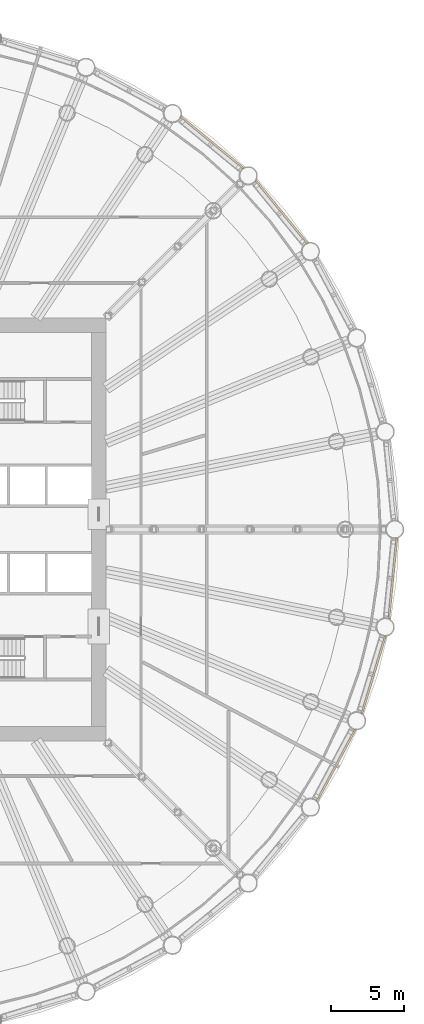
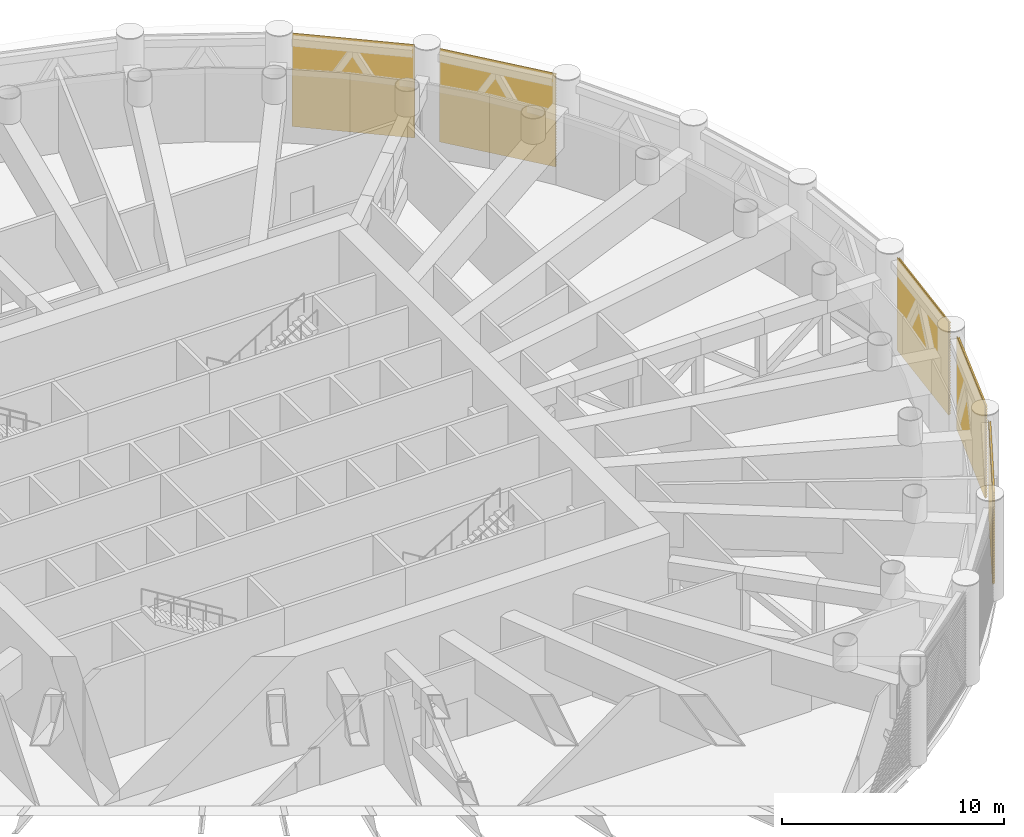
# One storey, part 27 of 29: 5 shading devices, 5 elements without a shape of their own.
"""IFC4 building model written with IfcOpenShell, lengths in metres."""

import ifcopenshell
import ifcopenshell.guid

model = None  # the IFC model being written
_history = None  # IfcOwnerHistory: only IFC2X3 demands one
_inside = {}  # id of a spatial element -> (the spatial element, [elements in it])
_under = {}  # id of a project, library or spatial element -> (it, [spatial elements below it])
_declared = {}  # id of a project -> (the project, [libraries it declares])
_typed = {}  # id of a type object -> (the type object, [elements of that type])
_made_of = {}  # id of a material, layer set ... -> (it, [elements and type objects made of it])


def new_model(schema):
    """Start an empty IFC model of exactly this schema.

    Asked for "IFC4X3", IfcOpenShell would pick the latest addendum, in which some entities
    have other attributes; the version numbers below select the first issue.
    IFC2X3 requires an IfcOwnerHistory on every rooted entity: one is made here for all.
    """
    global model, _history
    if schema == "IFC4X3":
        model = ifcopenshell.file(schema_version=(4, 3, 0, 0))
    else:
        model = ifcopenshell.file(schema=schema)
    _inside.clear()
    _under.clear()
    _declared.clear()
    _typed.clear()
    _made_of.clear()
    _history = None
    if model.schema == "IFC2X3":
        org = make("IfcOrganization", Name="unknown")
        user = make(
            "IfcPersonAndOrganization",
            ThePerson=make("IfcPerson", FamilyName="unknown"),
            TheOrganization=org,
        )
        app = make(
            "IfcApplication",
            ApplicationDeveloper=org,
            Version="unknown",
            ApplicationFullName="unknown",
            ApplicationIdentifier="unknown",
        )
        _history = make(
            "IfcOwnerHistory",
            OwningUser=user,
            OwningApplication=app,
            ChangeAction="ADDED",
            CreationDate=0,
        )
    return model


def make(cls, **values):
    """One entity of the class cls with the attributes given. An attribute that is None is left unset."""
    return model.create_entity(
        cls, **{name: value for name, value in values.items() if value is not None}
    )


def rooted(cls, **values):
    """An entity with a GlobalId (a new one), such as an element, a storey or a relation."""
    return make(cls, GlobalId=ifcopenshell.guid.new(), OwnerHistory=_history, **values)


def si_unit(unit_type, name, prefix=None):
    """IfcSIUnit, for example si_unit("LENGTHUNIT", "METRE", prefix="MILLI")."""
    return make("IfcSIUnit", UnitType=unit_type, Prefix=prefix, Name=name)


def assignment(units):
    """IfcUnitAssignment: the units of a project."""
    return None if units is None else make("IfcUnitAssignment", Units=units)


def point(xyz):
    """IfcCartesianPoint."""
    return None if xyz is None else make("IfcCartesianPoint", Coordinates=xyz)


def direction(xyz):
    """IfcDirection."""
    return None if xyz is None else make("IfcDirection", DirectionRatios=xyz)


def frame(location, z_axis=None, x_axis=None):
    """IfcAxis2Placement3D, a coordinate frame: its origin and axes. An axis left out is left unset."""
    return make(
        "IfcAxis2Placement3D",
        Location=point(location),
        Axis=direction(z_axis),
        RefDirection=direction(x_axis),
    )


def origin():
    """The frame at (0, 0, 0) with its axes left unset."""
    return frame((0.0, 0.0, 0.0))


def place(relative_to, where):
    """IfcLocalPlacement: puts the frame where relative to a parent placement (None: the world)."""
    return make(
        "IfcLocalPlacement", PlacementRelTo=relative_to, RelativePlacement=where
    )


def context(
    kind, dimensions, precision=None, world=None, true_north=None, identifier=None
):
    """IfcGeometricRepresentationContext, for example the 3D "Model" context."""
    return make(
        "IfcGeometricRepresentationContext",
        ContextIdentifier=identifier,
        ContextType=kind,
        CoordinateSpaceDimension=dimensions,
        Precision=precision,
        WorldCoordinateSystem=world,
        TrueNorth=true_north,
    )


def subcontext(parent, identifier, kind, view, scale=None):
    """IfcGeometricRepresentationSubContext, for example "Body" below "Model"."""
    return make(
        "IfcGeometricRepresentationSubContext",
        ContextIdentifier=identifier,
        ContextType=kind,
        ParentContext=parent,
        TargetScale=scale,
        TargetView=view,
    )


def project(units=None, contexts=None):
    """IfcProject with its units and contexts."""
    return rooted(
        "IfcProject",
        Name="project",
        RepresentationContexts=contexts,
        UnitsInContext=assignment(units),
    )


def spatial(cls, under=None, at=None, **own):
    """A site, building, storey or space (cls), placed at a placement, below another one or the project."""
    s = rooted(cls, ObjectPlacement=at, **own)
    if under is not None:
        _under.setdefault(under.id(), (under, []))[1].append(s)
    return s


def polyline(points):
    """IfcPolyline through the points."""
    return make("IfcPolyline", Points=[point(p) for p in points])


def outline(outer, holes=None, kind="AREA"):
    """IfcArbitraryClosedProfileDef: a profile drawn as a closed curve; with holes, ...WithVoids."""
    if holes is None:
        return make("IfcArbitraryClosedProfileDef", ProfileType=kind, OuterCurve=outer)
    return make(
        "IfcArbitraryProfileDefWithVoids",
        ProfileType=kind,
        OuterCurve=outer,
        InnerCurves=holes,
    )


def extrude(swept, where, along, depth):
    """IfcExtrudedAreaSolid: the profile swept, set in the frame where, extruded along a direction by depth."""
    return make(
        "IfcExtrudedAreaSolid",
        SweptArea=swept,
        Position=where,
        ExtrudedDirection=direction(along),
        Depth=depth,
    )


def shape(context_of_items, identifier, shape_type, items):
    """IfcShapeRepresentation: the items that make up one representation, for example the "Body"."""
    return make(
        "IfcShapeRepresentation",
        ContextOfItems=context_of_items,
        RepresentationIdentifier=identifier,
        RepresentationType=shape_type,
        Items=items,
    )


def material(Name=None, Category=None):
    """IfcMaterial."""
    return make("IfcMaterial", Name=Name, Category=Category)


def material_profile(
    of_material, cross_section, Name=None, Category=None, Priority=None
):
    """IfcMaterialProfile: a cross section and its material."""
    return make(
        "IfcMaterialProfile",
        Name=Name,
        Material=of_material,
        Profile=cross_section,
        Priority=Priority,
        Category=Category,
    )


def profile_set(profiles, Name=None, composite=None):
    """IfcMaterialProfileSet."""
    return make(
        "IfcMaterialProfileSet",
        Name=Name,
        MaterialProfiles=profiles,
        CompositeProfile=composite,
    )


def made_of(thing, what):
    """Note that an element or type object is made of a material, layer set ...; save() writes the relation."""
    if what is not None:
        _made_of.setdefault(what.id(), (what, []))[1].append(thing)
    return thing


def type_object(cls, material=None, **own):
    """A type object (cls), such as IfcWallType, which elements share."""
    return made_of(rooted(cls, **own), material)


def element(
    cls,
    number,
    at=None,
    inside=None,
    cuts=None,
    type_object=None,
    material=None,
    context=None,
    identifier="Body",
    shape_type=None,
    held_by="IfcProductDefinitionShape",
    body=None,
    shapes=None,
    **own,
):
    """One element of the class cls, such as IfcWall. Its Tag is "e" and its number.

    at: its placement. inside: the storey or other place that contains it. cuts: it is an
    opening in that element (IfcRelVoidsElement). A single representation is given by context,
    identifier, shape_type and body (its items); several are given by shapes. held_by: the class
    of the entity that holds the representations. save() writes the other relations.
    """
    e = rooted(cls, Tag="e%d" % number, ObjectPlacement=at, **own)
    if body is not None:
        shapes = [shape(context, identifier, shape_type, body)]
    if shapes is not None:
        e.Representation = make(held_by, Representations=shapes)
    if inside is not None:
        _inside.setdefault(inside.id(), (inside, []))[1].append(e)
    if cuts is not None:
        rooted(
            "IfcRelVoidsElement", RelatingBuildingElement=cuts, RelatedOpeningElement=e
        )
    if type_object is not None:
        _typed.setdefault(type_object.id(), (type_object, []))[1].append(e)
    return made_of(e, material)


def aggregate(whole, parts):
    """IfcRelAggregates: a whole, such as a stair, and the parts it consists of."""
    return rooted("IfcRelAggregates", RelatingObject=whole, RelatedObjects=parts)


def save(model, path):
    """Write the relations noted so far, then the file.

    IfcRelAggregates (storeys below a building ...), IfcRelContainedInSpatialStructure (elements
    in a storey), IfcRelDefinesByType, IfcRelAssociatesMaterial and IfcRelDeclares: one each for
    every whole, place, type object, material and project.
    """
    for whole, parts in _under.values():
        aggregate(whole, parts)
    for where, things in _inside.values():
        rooted(
            "IfcRelContainedInSpatialStructure",
            RelatedElements=things,
            RelatingStructure=where,
        )
    for kind, things in _typed.values():
        rooted("IfcRelDefinesByType", RelatedObjects=things, RelatingType=kind)
    for what, things in _made_of.values():
        rooted("IfcRelAssociatesMaterial", RelatedObjects=things, RelatingMaterial=what)
    for by, libraries in _declared.values():
        rooted("IfcRelDeclares", RelatingContext=by, RelatedDefinitions=libraries)
    model.write(path)


model = new_model("IFC4")

# Units and contexts
model_context = context("Model", 3, precision=1e-05, world=origin(), true_north=direction((0.0, 1.0)))
body_context = subcontext(model_context, "Body", "Model", "MODEL_VIEW")
ifc_project = project(units=[si_unit("LENGTHUNIT", "METRE"), si_unit("AREAUNIT", "SQUARE_METRE"), si_unit("VOLUMEUNIT", "CUBIC_METRE"), si_unit("PLANEANGLEUNIT", "RADIAN"), si_unit("MASSUNIT", "GRAM", prefix="KILO")], contexts=[model_context])

# Site, building, storey
site_placement = place(None, origin())
site = spatial("IfcSite", under=ifc_project, at=site_placement, CompositionType="ELEMENT")
building_placement = place(site_placement, origin())
building = spatial("IfcBuilding", under=site, at=building_placement, Name="Corvane Civic Tower", CompositionType="ELEMENT")
storey_placement = place(building_placement, frame((0.0, 0.0, 138.5)))
storey = spatial("IfcBuildingStorey", under=building, at=storey_placement, Name="L32", CompositionType="ELEMENT", Elevation=138.5)

# Curtain wall, shading device
ifc_material_1 = material(Name="Anodised aluminium bronze", Category="aluminium")
curtain_wall_type = type_object("IfcCurtainWallType", Name="TOWER CW-LV LOUVRE SCREEN WALL", PredefinedType="NOTDEFINED", material=ifc_material_1)
curtain_wall_1_placement = place(storey_placement, origin())
curtain_wall_1 = element("IfcCurtainWall", 1, at=curtain_wall_1_placement, inside=storey, type_object=curtain_wall_type, Name="Louvre screen wall CW-LV L32 bay 04", PredefinedType="NOTDEFINED")
ifc_material_2 = material(Name="Anodised aluminium bronze", Category="aluminium")
ifc_material_profile = material_profile(ifc_material_2, outline(polyline([(-0.06005859375, -2.56494140625), (-0.0400390625, -2.56494140625), (0.06005859375, -2.492919921875), (0.06005859375, -2.472900390625), (-0.0400390625, -2.544921875), (-0.0400390625, -2.4140625), (0.06005859375, -2.342041015625), (0.06005859375, -2.322021484375), (-0.0400390625, -2.39404296875), (-0.0400390625, -2.26318359375), (0.06005859375, -2.191162109375), (0.06005859375, -2.171142578125), (-0.0400390625, -2.2431640625), (-0.0400390625, -2.1123046875), (0.06005859375, -2.040283203125), (0.06005859375, -2.0205078125), (-0.0400390625, -2.09228515625), (-0.0400390625, -1.96142578125), (0.06005859375, -1.889404296875), (0.06005859375, -1.869384765625), (-0.0400390625, -1.94140625), (-0.0400390625, -1.810546875), (0.06005859375, -1.738525390625), (0.06005859375, -1.718505859375), (-0.0400390625, -1.79052734375), (-0.0400390625, -1.65966796875), (0.06005859375, -1.587646484375), (0.06005859375, -1.567626953125), (-0.0400390625, -1.6396484375), (-0.0400390625, -1.5087890625), (0.06005859375, -1.436767578125), (0.06005859375, -1.416748046875), (-0.0400390625, -1.48876953125), (-0.0400390625, -1.35791015625), (0.06005859375, -1.285888671875), (0.06005859375, -1.265869140625), (-0.0400390625, -1.337890625), (-0.0400390625, -1.20703125), (0.06005859375, -1.135009765625), (0.06005859375, -1.114990234375), (-0.0400390625, -1.18701171875), (-0.0400390625, -1.05615234375), (0.06005859375, -0.984130859375), (0.06005859375, -0.964111328125), (-0.0400390625, -1.0361328125), (-0.0400390625, -0.9052734375), (0.06005859375, -0.833251953125), (0.06005859375, -0.813232421875), (-0.0400390625, -0.88525390625), (-0.0400390625, -0.75439453125), (0.06005859375, -0.682373046875), (0.06005859375, -0.662353515625), (-0.0400390625, -0.734375), (-0.0400390625, -0.603515625), (0.06005859375, -0.531494140625), (0.06005859375, -0.511474609375), (-0.0400390625, -0.58349609375), (-0.0400390625, -0.45263671875), (0.06005859375, -0.380615234375), (0.06005859375, -0.360595703125), (-0.0400390625, -0.4326171875), (-0.0400390625, -0.3017578125), (0.06005859375, -0.229736328125), (0.06005859375, -0.209716796875), (-0.0400390625, -0.28173828125), (-0.0400390625, -0.15087890625), (0.06005859375, -0.078857421875), (0.06005859375, -0.058837890625), (-0.0400390625, -0.130859375), (-0.0400390625, 0.0), (0.06005859375, 0.072021484375), (0.06005859375, 0.092041015625), (-0.0400390625, 0.02001953125), (-0.0400390625, 0.15087890625), (0.06005859375, 0.222900390625), (0.06005859375, 0.242919921875), (-0.0400390625, 0.1708984375), (-0.0400390625, 0.3017578125), (0.06005859375, 0.373779296875), (0.06005859375, 0.393798828125), (-0.0400390625, 0.32177734375), (-0.0400390625, 0.45263671875), (0.06005859375, 0.524658203125), (0.06005859375, 0.544677734375), (-0.0400390625, 0.47265625), (-0.0400390625, 0.603515625), (0.06005859375, 0.675537109375), (0.06005859375, 0.695556640625), (-0.0400390625, 0.62353515625), (-0.0400390625, 0.75439453125), (0.06005859375, 0.826416015625), (0.06005859375, 0.846435546875), (-0.0400390625, 0.7744140625), (-0.0400390625, 0.9052734375), (0.06005859375, 0.977294921875), (0.06005859375, 0.997314453125), (-0.0400390625, 0.92529296875), (-0.0400390625, 1.05615234375), (0.06005859375, 1.128173828125), (0.06005859375, 1.148193359375), (-0.0400390625, 1.076171875), (-0.0400390625, 1.20703125), (0.06005859375, 1.279052734375), (0.06005859375, 1.299072265625), (-0.0400390625, 1.22705078125), (-0.0400390625, 1.35791015625), (0.06005859375, 1.429931640625), (0.06005859375, 1.449951171875), (-0.0400390625, 1.3779296875), (-0.0400390625, 1.5087890625), (0.06005859375, 1.580810546875), (0.06005859375, 1.600830078125), (-0.0400390625, 1.52880859375), (-0.0400390625, 1.65966796875), (0.06005859375, 1.731689453125), (0.06005859375, 1.751708984375), (-0.0400390625, 1.6796875), (-0.0400390625, 1.810546875), (0.06005859375, 1.882568359375), (0.06005859375, 1.902587890625), (-0.0400390625, 1.83056640625), (-0.0400390625, 1.96142578125), (0.06005859375, 2.033447265625), (0.06005859375, 2.053466796875), (-0.0400390625, 1.9814453125), (-0.0400390625, 2.1123046875), (0.06005859375, 2.184326171875), (0.06005859375, 2.204345703125), (-0.0400390625, 2.13232421875), (-0.0400390625, 2.26318359375), (0.06005859375, 2.335205078125), (0.06005859375, 2.355224609375), (-0.0400390625, 2.283203125), (-0.0400390625, 2.4140625), (0.06005859375, 2.486083984375), (0.06005859375, 2.506103515625), (-0.0400390625, 2.43408203125), (-0.0400390625, 2.56494140625), (-0.06005859375, 2.56494140625), (-0.06005859375, -2.56494140625)])), Name="TOWER LOUVRE BANK 5130 BRONZE")
ifc_profile_set = profile_set([ifc_material_profile], Name="Anodised aluminium bronze")
shading_device_type = type_object("IfcShadingDeviceType", Name="TOWER LOUVRE BANK 5130 BRONZE", PredefinedType="USERDEFINED", material=ifc_profile_set)
shading_device_1_placement = place(storey_placement, frame((19.609619140625, 28.297119140625, 2.68505859375), z_axis=(0.772996431642, -0.634410369295, 0.0), x_axis=(0.634410369295, 0.772996431642, 0.0)))
shading_device_1 = element("IfcShadingDevice", 2, at=shading_device_1_placement, type_object=shading_device_type, Name="Louvre bank L32 04.1", ObjectType="LOUVRE", PredefinedType="USERDEFINED", context=body_context, shape_type="SweptSolid", body=[
    extrude(outline(polyline([(-0.06005859375, -2.56494140625), (-0.0400390625, -2.56494140625), (0.06005859375, -2.492919921875), (0.06005859375, -2.472900390625), (-0.0400390625, -2.544921875), (-0.0400390625, -2.4140625), (0.06005859375, -2.342041015625), (0.06005859375, -2.322021484375), (-0.0400390625, -2.39404296875), (-0.0400390625, -2.26318359375), (0.06005859375, -2.191162109375), (0.06005859375, -2.171142578125), (-0.0400390625, -2.2431640625), (-0.0400390625, -2.1123046875), (0.06005859375, -2.040283203125), (0.06005859375, -2.0205078125), (-0.0400390625, -2.09228515625), (-0.0400390625, -1.96142578125), (0.06005859375, -1.889404296875), (0.06005859375, -1.869384765625), (-0.0400390625, -1.94140625), (-0.0400390625, -1.810546875), (0.06005859375, -1.738525390625), (0.06005859375, -1.718505859375), (-0.0400390625, -1.79052734375), (-0.0400390625, -1.65966796875), (0.06005859375, -1.587646484375), (0.06005859375, -1.567626953125), (-0.0400390625, -1.6396484375), (-0.0400390625, -1.5087890625), (0.06005859375, -1.436767578125), (0.06005859375, -1.416748046875), (-0.0400390625, -1.48876953125), (-0.0400390625, -1.35791015625), (0.06005859375, -1.285888671875), (0.06005859375, -1.265869140625), (-0.0400390625, -1.337890625), (-0.0400390625, -1.20703125), (0.06005859375, -1.135009765625), (0.06005859375, -1.114990234375), (-0.0400390625, -1.18701171875), (-0.0400390625, -1.05615234375), (0.06005859375, -0.984130859375), (0.06005859375, -0.964111328125), (-0.0400390625, -1.0361328125), (-0.0400390625, -0.9052734375), (0.06005859375, -0.833251953125), (0.06005859375, -0.813232421875), (-0.0400390625, -0.88525390625), (-0.0400390625, -0.75439453125), (0.06005859375, -0.682373046875), (0.06005859375, -0.662353515625), (-0.0400390625, -0.734375), (-0.0400390625, -0.603515625), (0.06005859375, -0.531494140625), (0.06005859375, -0.511474609375), (-0.0400390625, -0.58349609375), (-0.0400390625, -0.45263671875), (0.06005859375, -0.380615234375), (0.06005859375, -0.360595703125), (-0.0400390625, -0.4326171875), (-0.0400390625, -0.3017578125), (0.06005859375, -0.229736328125), (0.06005859375, -0.209716796875), (-0.0400390625, -0.28173828125), (-0.0400390625, -0.15087890625), (0.06005859375, -0.078857421875), (0.06005859375, -0.058837890625), (-0.0400390625, -0.130859375), (-0.0400390625, 0.0), (0.06005859375, 0.072021484375), (0.06005859375, 0.092041015625), (-0.0400390625, 0.02001953125), (-0.0400390625, 0.15087890625), (0.06005859375, 0.222900390625), (0.06005859375, 0.242919921875), (-0.0400390625, 0.1708984375), (-0.0400390625, 0.3017578125), (0.06005859375, 0.373779296875), (0.06005859375, 0.393798828125), (-0.0400390625, 0.32177734375), (-0.0400390625, 0.45263671875), (0.06005859375, 0.524658203125), (0.06005859375, 0.544677734375), (-0.0400390625, 0.47265625), (-0.0400390625, 0.603515625), (0.06005859375, 0.675537109375), (0.06005859375, 0.695556640625), (-0.0400390625, 0.62353515625), (-0.0400390625, 0.75439453125), (0.06005859375, 0.826416015625), (0.06005859375, 0.846435546875), (-0.0400390625, 0.7744140625), (-0.0400390625, 0.9052734375), (0.06005859375, 0.977294921875), (0.06005859375, 0.997314453125), (-0.0400390625, 0.92529296875), (-0.0400390625, 1.05615234375), (0.06005859375, 1.128173828125), (0.06005859375, 1.148193359375), (-0.0400390625, 1.076171875), (-0.0400390625, 1.20703125), (0.06005859375, 1.279052734375), (0.06005859375, 1.299072265625), (-0.0400390625, 1.22705078125), (-0.0400390625, 1.35791015625), (0.06005859375, 1.429931640625), (0.06005859375, 1.449951171875), (-0.0400390625, 1.3779296875), (-0.0400390625, 1.5087890625), (0.06005859375, 1.580810546875), (0.06005859375, 1.600830078125), (-0.0400390625, 1.52880859375), (-0.0400390625, 1.65966796875), (0.06005859375, 1.731689453125), (0.06005859375, 1.751708984375), (-0.0400390625, 1.6796875), (-0.0400390625, 1.810546875), (0.06005859375, 1.882568359375), (0.06005859375, 1.902587890625), (-0.0400390625, 1.83056640625), (-0.0400390625, 1.96142578125), (0.06005859375, 2.033447265625), (0.06005859375, 2.053466796875), (-0.0400390625, 1.9814453125), (-0.0400390625, 2.1123046875), (0.06005859375, 2.184326171875), (0.06005859375, 2.204345703125), (-0.0400390625, 2.13232421875), (-0.0400390625, 2.26318359375), (0.06005859375, 2.335205078125), (0.06005859375, 2.355224609375), (-0.0400390625, 2.283203125), (-0.0400390625, 2.4140625), (0.06005859375, 2.486083984375), (0.06005859375, 2.506103515625), (-0.0400390625, 2.43408203125), (-0.0400390625, 2.56494140625), (-0.06005859375, 2.56494140625), (-0.06005859375, -2.56494140625)])), origin(), (0.0, 0.0, 1.0), 5.586181640625),
])
aggregate(curtain_wall_1, [shading_device_1])

curtain_wall_2_placement = place(storey_placement, origin())
curtain_wall_2 = element("IfcCurtainWall", 3, at=curtain_wall_2_placement, inside=storey, type_object=curtain_wall_type, Name="Louvre screen wall CW-LV L32 bay 05", PredefinedType="NOTDEFINED")
shading_device_2_placement = place(storey_placement, frame((24.753173828125, 23.927734375, 2.68505859375), z_axis=(0.634410369295, -0.772996431642, 0.0), x_axis=(0.772996431642, 0.634410369295, 0.0)))
shading_device_2 = element("IfcShadingDevice", 4, at=shading_device_2_placement, type_object=shading_device_type, Name="Louvre bank L32 05.1", ObjectType="LOUVRE", PredefinedType="USERDEFINED", context=body_context, shape_type="SweptSolid", body=[
    extrude(outline(polyline([(-0.06005859375, -2.56494140625), (-0.0400390625, -2.56494140625), (0.06005859375, -2.492919921875), (0.06005859375, -2.472900390625), (-0.0400390625, -2.544921875), (-0.0400390625, -2.4140625), (0.06005859375, -2.342041015625), (0.06005859375, -2.322021484375), (-0.0400390625, -2.39404296875), (-0.0400390625, -2.26318359375), (0.06005859375, -2.191162109375), (0.06005859375, -2.171142578125), (-0.0400390625, -2.2431640625), (-0.0400390625, -2.1123046875), (0.06005859375, -2.040283203125), (0.06005859375, -2.0205078125), (-0.0400390625, -2.09228515625), (-0.0400390625, -1.96142578125), (0.06005859375, -1.889404296875), (0.06005859375, -1.869384765625), (-0.0400390625, -1.94140625), (-0.0400390625, -1.810546875), (0.06005859375, -1.738525390625), (0.06005859375, -1.718505859375), (-0.0400390625, -1.79052734375), (-0.0400390625, -1.65966796875), (0.06005859375, -1.587646484375), (0.06005859375, -1.567626953125), (-0.0400390625, -1.6396484375), (-0.0400390625, -1.5087890625), (0.06005859375, -1.436767578125), (0.06005859375, -1.416748046875), (-0.0400390625, -1.48876953125), (-0.0400390625, -1.35791015625), (0.06005859375, -1.285888671875), (0.06005859375, -1.265869140625), (-0.0400390625, -1.337890625), (-0.0400390625, -1.20703125), (0.06005859375, -1.135009765625), (0.06005859375, -1.114990234375), (-0.0400390625, -1.18701171875), (-0.0400390625, -1.05615234375), (0.06005859375, -0.984130859375), (0.06005859375, -0.964111328125), (-0.0400390625, -1.0361328125), (-0.0400390625, -0.9052734375), (0.06005859375, -0.833251953125), (0.06005859375, -0.813232421875), (-0.0400390625, -0.88525390625), (-0.0400390625, -0.75439453125), (0.06005859375, -0.682373046875), (0.06005859375, -0.662353515625), (-0.0400390625, -0.734375), (-0.0400390625, -0.603515625), (0.06005859375, -0.531494140625), (0.06005859375, -0.511474609375), (-0.0400390625, -0.58349609375), (-0.0400390625, -0.45263671875), (0.06005859375, -0.380615234375), (0.06005859375, -0.360595703125), (-0.0400390625, -0.4326171875), (-0.0400390625, -0.3017578125), (0.06005859375, -0.229736328125), (0.06005859375, -0.209716796875), (-0.0400390625, -0.28173828125), (-0.0400390625, -0.15087890625), (0.06005859375, -0.078857421875), (0.06005859375, -0.058837890625), (-0.0400390625, -0.130859375), (-0.0400390625, 0.0), (0.06005859375, 0.072021484375), (0.06005859375, 0.092041015625), (-0.0400390625, 0.02001953125), (-0.0400390625, 0.15087890625), (0.06005859375, 0.222900390625), (0.06005859375, 0.242919921875), (-0.0400390625, 0.1708984375), (-0.0400390625, 0.3017578125), (0.06005859375, 0.373779296875), (0.06005859375, 0.393798828125), (-0.0400390625, 0.32177734375), (-0.0400390625, 0.45263671875), (0.06005859375, 0.524658203125), (0.06005859375, 0.544677734375), (-0.0400390625, 0.47265625), (-0.0400390625, 0.603515625), (0.06005859375, 0.675537109375), (0.06005859375, 0.695556640625), (-0.0400390625, 0.62353515625), (-0.0400390625, 0.75439453125), (0.06005859375, 0.826416015625), (0.06005859375, 0.846435546875), (-0.0400390625, 0.7744140625), (-0.0400390625, 0.9052734375), (0.06005859375, 0.977294921875), (0.06005859375, 0.997314453125), (-0.0400390625, 0.92529296875), (-0.0400390625, 1.05615234375), (0.06005859375, 1.128173828125), (0.06005859375, 1.148193359375), (-0.0400390625, 1.076171875), (-0.0400390625, 1.20703125), (0.06005859375, 1.279052734375), (0.06005859375, 1.299072265625), (-0.0400390625, 1.22705078125), (-0.0400390625, 1.35791015625), (0.06005859375, 1.429931640625), (0.06005859375, 1.449951171875), (-0.0400390625, 1.3779296875), (-0.0400390625, 1.5087890625), (0.06005859375, 1.580810546875), (0.06005859375, 1.600830078125), (-0.0400390625, 1.52880859375), (-0.0400390625, 1.65966796875), (0.06005859375, 1.731689453125), (0.06005859375, 1.751708984375), (-0.0400390625, 1.6796875), (-0.0400390625, 1.810546875), (0.06005859375, 1.882568359375), (0.06005859375, 1.902587890625), (-0.0400390625, 1.83056640625), (-0.0400390625, 1.96142578125), (0.06005859375, 2.033447265625), (0.06005859375, 2.053466796875), (-0.0400390625, 1.9814453125), (-0.0400390625, 2.1123046875), (0.06005859375, 2.184326171875), (0.06005859375, 2.204345703125), (-0.0400390625, 2.13232421875), (-0.0400390625, 2.26318359375), (0.06005859375, 2.335205078125), (0.06005859375, 2.355224609375), (-0.0400390625, 2.283203125), (-0.0400390625, 2.4140625), (0.06005859375, 2.486083984375), (0.06005859375, 2.506103515625), (-0.0400390625, 2.43408203125), (-0.0400390625, 2.56494140625), (-0.06005859375, 2.56494140625), (-0.06005859375, -2.56494140625)])), origin(), (0.0, 0.0, 1.0), 5.586181640625),
])
aggregate(curtain_wall_2, [shading_device_2])

curtain_wall_3_placement = place(storey_placement, origin())
curtain_wall_3 = element("IfcCurtainWall", 5, at=curtain_wall_3_placement, inside=storey, type_object=curtain_wall_type, Name="Louvre screen wall CW-LV L32 bay 09", PredefinedType="NOTDEFINED")
shading_device_3_placement = place(storey_placement, frame((34.422607421875, -0.58349609375, 2.68505859375), z_axis=(-0.098067077419, -0.995179807033, 0.0), x_axis=(0.995179807033, -0.098067077419, 0.0)))
shading_device_3 = element("IfcShadingDevice", 6, at=shading_device_3_placement, type_object=shading_device_type, Name="Louvre bank L32 09.1", ObjectType="LOUVRE", PredefinedType="USERDEFINED", context=body_context, shape_type="SweptSolid", body=[
    extrude(outline(polyline([(-0.06005859375, -2.56494140625), (-0.0400390625, -2.56494140625), (0.06005859375, -2.492919921875), (0.06005859375, -2.472900390625), (-0.0400390625, -2.544921875), (-0.0400390625, -2.4140625), (0.06005859375, -2.342041015625), (0.06005859375, -2.322021484375), (-0.0400390625, -2.39404296875), (-0.0400390625, -2.26318359375), (0.06005859375, -2.191162109375), (0.06005859375, -2.171142578125), (-0.0400390625, -2.2431640625), (-0.0400390625, -2.1123046875), (0.06005859375, -2.040283203125), (0.06005859375, -2.0205078125), (-0.0400390625, -2.09228515625), (-0.0400390625, -1.96142578125), (0.06005859375, -1.889404296875), (0.06005859375, -1.869384765625), (-0.0400390625, -1.94140625), (-0.0400390625, -1.810546875), (0.06005859375, -1.738525390625), (0.06005859375, -1.718505859375), (-0.0400390625, -1.79052734375), (-0.0400390625, -1.65966796875), (0.06005859375, -1.587646484375), (0.06005859375, -1.567626953125), (-0.0400390625, -1.6396484375), (-0.0400390625, -1.5087890625), (0.06005859375, -1.436767578125), (0.06005859375, -1.416748046875), (-0.0400390625, -1.48876953125), (-0.0400390625, -1.35791015625), (0.06005859375, -1.285888671875), (0.06005859375, -1.265869140625), (-0.0400390625, -1.337890625), (-0.0400390625, -1.20703125), (0.06005859375, -1.135009765625), (0.06005859375, -1.114990234375), (-0.0400390625, -1.18701171875), (-0.0400390625, -1.05615234375), (0.06005859375, -0.984130859375), (0.06005859375, -0.964111328125), (-0.0400390625, -1.0361328125), (-0.0400390625, -0.9052734375), (0.06005859375, -0.833251953125), (0.06005859375, -0.813232421875), (-0.0400390625, -0.88525390625), (-0.0400390625, -0.75439453125), (0.06005859375, -0.682373046875), (0.06005859375, -0.662353515625), (-0.0400390625, -0.734375), (-0.0400390625, -0.603515625), (0.06005859375, -0.531494140625), (0.06005859375, -0.511474609375), (-0.0400390625, -0.58349609375), (-0.0400390625, -0.45263671875), (0.06005859375, -0.380615234375), (0.06005859375, -0.360595703125), (-0.0400390625, -0.4326171875), (-0.0400390625, -0.3017578125), (0.06005859375, -0.229736328125), (0.06005859375, -0.209716796875), (-0.0400390625, -0.28173828125), (-0.0400390625, -0.15087890625), (0.06005859375, -0.078857421875), (0.06005859375, -0.058837890625), (-0.0400390625, -0.130859375), (-0.0400390625, 0.0), (0.06005859375, 0.072021484375), (0.06005859375, 0.092041015625), (-0.0400390625, 0.02001953125), (-0.0400390625, 0.15087890625), (0.06005859375, 0.222900390625), (0.06005859375, 0.242919921875), (-0.0400390625, 0.1708984375), (-0.0400390625, 0.3017578125), (0.06005859375, 0.373779296875), (0.06005859375, 0.393798828125), (-0.0400390625, 0.32177734375), (-0.0400390625, 0.45263671875), (0.06005859375, 0.524658203125), (0.06005859375, 0.544677734375), (-0.0400390625, 0.47265625), (-0.0400390625, 0.603515625), (0.06005859375, 0.675537109375), (0.06005859375, 0.695556640625), (-0.0400390625, 0.62353515625), (-0.0400390625, 0.75439453125), (0.06005859375, 0.826416015625), (0.06005859375, 0.846435546875), (-0.0400390625, 0.7744140625), (-0.0400390625, 0.9052734375), (0.06005859375, 0.977294921875), (0.06005859375, 0.997314453125), (-0.0400390625, 0.92529296875), (-0.0400390625, 1.05615234375), (0.06005859375, 1.128173828125), (0.06005859375, 1.148193359375), (-0.0400390625, 1.076171875), (-0.0400390625, 1.20703125), (0.06005859375, 1.279052734375), (0.06005859375, 1.299072265625), (-0.0400390625, 1.22705078125), (-0.0400390625, 1.35791015625), (0.06005859375, 1.429931640625), (0.06005859375, 1.449951171875), (-0.0400390625, 1.3779296875), (-0.0400390625, 1.5087890625), (0.06005859375, 1.580810546875), (0.06005859375, 1.600830078125), (-0.0400390625, 1.52880859375), (-0.0400390625, 1.65966796875), (0.06005859375, 1.731689453125), (0.06005859375, 1.751708984375), (-0.0400390625, 1.6796875), (-0.0400390625, 1.810546875), (0.06005859375, 1.882568359375), (0.06005859375, 1.902587890625), (-0.0400390625, 1.83056640625), (-0.0400390625, 1.96142578125), (0.06005859375, 2.033447265625), (0.06005859375, 2.053466796875), (-0.0400390625, 1.9814453125), (-0.0400390625, 2.1123046875), (0.06005859375, 2.184326171875), (0.06005859375, 2.204345703125), (-0.0400390625, 2.13232421875), (-0.0400390625, 2.26318359375), (0.06005859375, 2.335205078125), (0.06005859375, 2.355224609375), (-0.0400390625, 2.283203125), (-0.0400390625, 2.4140625), (0.06005859375, 2.486083984375), (0.06005859375, 2.506103515625), (-0.0400390625, 2.43408203125), (-0.0400390625, 2.56494140625), (-0.06005859375, 2.56494140625), (-0.06005859375, -2.56494140625)])), origin(), (0.0, 0.0, 1.0), 5.58642578125),
])
aggregate(curtain_wall_3, [shading_device_3])

curtain_wall_4_placement = place(storey_placement, origin())
curtain_wall_4 = element("IfcCurtainWall", 7, at=curtain_wall_4_placement, inside=storey, type_object=curtain_wall_type, Name="Louvre screen wall CW-LV L32 bay 10", PredefinedType="NOTDEFINED")
shading_device_4_placement = place(storey_placement, frame((33.647216796875, -7.287841796875, 2.68505859375), z_axis=(-0.290269376509, -0.956944977029, 0.0), x_axis=(0.956944977029, -0.290269376509, 0.0)))
shading_device_4 = element("IfcShadingDevice", 8, at=shading_device_4_placement, type_object=shading_device_type, Name="Louvre bank L32 10.1", ObjectType="LOUVRE", PredefinedType="USERDEFINED", context=body_context, shape_type="SweptSolid", body=[
    extrude(outline(polyline([(-0.06005859375, -2.56494140625), (-0.0400390625, -2.56494140625), (0.06005859375, -2.492919921875), (0.06005859375, -2.472900390625), (-0.0400390625, -2.544921875), (-0.0400390625, -2.4140625), (0.06005859375, -2.342041015625), (0.06005859375, -2.322021484375), (-0.0400390625, -2.39404296875), (-0.0400390625, -2.26318359375), (0.06005859375, -2.191162109375), (0.06005859375, -2.171142578125), (-0.0400390625, -2.2431640625), (-0.0400390625, -2.1123046875), (0.06005859375, -2.040283203125), (0.06005859375, -2.0205078125), (-0.0400390625, -2.09228515625), (-0.0400390625, -1.96142578125), (0.06005859375, -1.889404296875), (0.06005859375, -1.869384765625), (-0.0400390625, -1.94140625), (-0.0400390625, -1.810546875), (0.06005859375, -1.738525390625), (0.06005859375, -1.718505859375), (-0.0400390625, -1.79052734375), (-0.0400390625, -1.65966796875), (0.06005859375, -1.587646484375), (0.06005859375, -1.567626953125), (-0.0400390625, -1.6396484375), (-0.0400390625, -1.5087890625), (0.06005859375, -1.436767578125), (0.06005859375, -1.416748046875), (-0.0400390625, -1.48876953125), (-0.0400390625, -1.35791015625), (0.06005859375, -1.285888671875), (0.06005859375, -1.265869140625), (-0.0400390625, -1.337890625), (-0.0400390625, -1.20703125), (0.06005859375, -1.135009765625), (0.06005859375, -1.114990234375), (-0.0400390625, -1.18701171875), (-0.0400390625, -1.05615234375), (0.06005859375, -0.984130859375), (0.06005859375, -0.964111328125), (-0.0400390625, -1.0361328125), (-0.0400390625, -0.9052734375), (0.06005859375, -0.833251953125), (0.06005859375, -0.813232421875), (-0.0400390625, -0.88525390625), (-0.0400390625, -0.75439453125), (0.06005859375, -0.682373046875), (0.06005859375, -0.662353515625), (-0.0400390625, -0.734375), (-0.0400390625, -0.603515625), (0.06005859375, -0.531494140625), (0.06005859375, -0.511474609375), (-0.0400390625, -0.58349609375), (-0.0400390625, -0.45263671875), (0.06005859375, -0.380615234375), (0.06005859375, -0.360595703125), (-0.0400390625, -0.4326171875), (-0.0400390625, -0.3017578125), (0.06005859375, -0.229736328125), (0.06005859375, -0.209716796875), (-0.0400390625, -0.28173828125), (-0.0400390625, -0.15087890625), (0.06005859375, -0.078857421875), (0.06005859375, -0.058837890625), (-0.0400390625, -0.130859375), (-0.0400390625, 0.0), (0.06005859375, 0.072021484375), (0.06005859375, 0.092041015625), (-0.0400390625, 0.02001953125), (-0.0400390625, 0.15087890625), (0.06005859375, 0.222900390625), (0.06005859375, 0.242919921875), (-0.0400390625, 0.1708984375), (-0.0400390625, 0.3017578125), (0.06005859375, 0.373779296875), (0.06005859375, 0.393798828125), (-0.0400390625, 0.32177734375), (-0.0400390625, 0.45263671875), (0.06005859375, 0.524658203125), (0.06005859375, 0.544677734375), (-0.0400390625, 0.47265625), (-0.0400390625, 0.603515625), (0.06005859375, 0.675537109375), (0.06005859375, 0.695556640625), (-0.0400390625, 0.62353515625), (-0.0400390625, 0.75439453125), (0.06005859375, 0.826416015625), (0.06005859375, 0.846435546875), (-0.0400390625, 0.7744140625), (-0.0400390625, 0.9052734375), (0.06005859375, 0.977294921875), (0.06005859375, 0.997314453125), (-0.0400390625, 0.92529296875), (-0.0400390625, 1.05615234375), (0.06005859375, 1.128173828125), (0.06005859375, 1.148193359375), (-0.0400390625, 1.076171875), (-0.0400390625, 1.20703125), (0.06005859375, 1.279052734375), (0.06005859375, 1.299072265625), (-0.0400390625, 1.22705078125), (-0.0400390625, 1.35791015625), (0.06005859375, 1.429931640625), (0.06005859375, 1.449951171875), (-0.0400390625, 1.3779296875), (-0.0400390625, 1.5087890625), (0.06005859375, 1.580810546875), (0.06005859375, 1.600830078125), (-0.0400390625, 1.52880859375), (-0.0400390625, 1.65966796875), (0.06005859375, 1.731689453125), (0.06005859375, 1.751708984375), (-0.0400390625, 1.6796875), (-0.0400390625, 1.810546875), (0.06005859375, 1.882568359375), (0.06005859375, 1.902587890625), (-0.0400390625, 1.83056640625), (-0.0400390625, 1.96142578125), (0.06005859375, 2.033447265625), (0.06005859375, 2.053466796875), (-0.0400390625, 1.9814453125), (-0.0400390625, 2.1123046875), (0.06005859375, 2.184326171875), (0.06005859375, 2.204345703125), (-0.0400390625, 2.13232421875), (-0.0400390625, 2.26318359375), (0.06005859375, 2.335205078125), (0.06005859375, 2.355224609375), (-0.0400390625, 2.283203125), (-0.0400390625, 2.4140625), (0.06005859375, 2.486083984375), (0.06005859375, 2.506103515625), (-0.0400390625, 2.43408203125), (-0.0400390625, 2.56494140625), (-0.06005859375, 2.56494140625), (-0.06005859375, -2.56494140625)])), origin(), (0.0, 0.0, 1.0), 5.58642578125),
])
aggregate(curtain_wall_4, [shading_device_4])

curtain_wall_5_placement = place(storey_placement, origin())
curtain_wall_5 = element("IfcCurtainWall", 9, at=curtain_wall_5_placement, inside=storey, type_object=curtain_wall_type, Name="Louvre screen wall CW-LV L32 bay 11", PredefinedType="NOTDEFINED")
shading_device_5_placement = place(storey_placement, frame((31.5791015625, -13.712158203125, 2.68505859375), z_axis=(-0.47139778253, -0.881920705407, 0.0), x_axis=(0.881920705407, -0.47139778253, 0.0)))
shading_device_5 = element("IfcShadingDevice", 10, at=shading_device_5_placement, type_object=shading_device_type, Name="Louvre bank L32 11.1", ObjectType="LOUVRE", PredefinedType="USERDEFINED", context=body_context, shape_type="SweptSolid", body=[
    extrude(outline(polyline([(-0.06005859375, -2.56494140625), (-0.0400390625, -2.56494140625), (0.06005859375, -2.492919921875), (0.06005859375, -2.472900390625), (-0.0400390625, -2.544921875), (-0.0400390625, -2.4140625), (0.06005859375, -2.342041015625), (0.06005859375, -2.322021484375), (-0.0400390625, -2.39404296875), (-0.0400390625, -2.26318359375), (0.06005859375, -2.191162109375), (0.06005859375, -2.171142578125), (-0.0400390625, -2.2431640625), (-0.0400390625, -2.1123046875), (0.06005859375, -2.040283203125), (0.06005859375, -2.0205078125), (-0.0400390625, -2.09228515625), (-0.0400390625, -1.96142578125), (0.06005859375, -1.889404296875), (0.06005859375, -1.869384765625), (-0.0400390625, -1.94140625), (-0.0400390625, -1.810546875), (0.06005859375, -1.738525390625), (0.06005859375, -1.718505859375), (-0.0400390625, -1.79052734375), (-0.0400390625, -1.65966796875), (0.06005859375, -1.587646484375), (0.06005859375, -1.567626953125), (-0.0400390625, -1.6396484375), (-0.0400390625, -1.5087890625), (0.06005859375, -1.436767578125), (0.06005859375, -1.416748046875), (-0.0400390625, -1.48876953125), (-0.0400390625, -1.35791015625), (0.06005859375, -1.285888671875), (0.06005859375, -1.265869140625), (-0.0400390625, -1.337890625), (-0.0400390625, -1.20703125), (0.06005859375, -1.135009765625), (0.06005859375, -1.114990234375), (-0.0400390625, -1.18701171875), (-0.0400390625, -1.05615234375), (0.06005859375, -0.984130859375), (0.06005859375, -0.964111328125), (-0.0400390625, -1.0361328125), (-0.0400390625, -0.9052734375), (0.06005859375, -0.833251953125), (0.06005859375, -0.813232421875), (-0.0400390625, -0.88525390625), (-0.0400390625, -0.75439453125), (0.06005859375, -0.682373046875), (0.06005859375, -0.662353515625), (-0.0400390625, -0.734375), (-0.0400390625, -0.603515625), (0.06005859375, -0.531494140625), (0.06005859375, -0.511474609375), (-0.0400390625, -0.58349609375), (-0.0400390625, -0.45263671875), (0.06005859375, -0.380615234375), (0.06005859375, -0.360595703125), (-0.0400390625, -0.4326171875), (-0.0400390625, -0.3017578125), (0.06005859375, -0.229736328125), (0.06005859375, -0.209716796875), (-0.0400390625, -0.28173828125), (-0.0400390625, -0.15087890625), (0.06005859375, -0.078857421875), (0.06005859375, -0.058837890625), (-0.0400390625, -0.130859375), (-0.0400390625, 0.0), (0.06005859375, 0.072021484375), (0.06005859375, 0.092041015625), (-0.0400390625, 0.02001953125), (-0.0400390625, 0.15087890625), (0.06005859375, 0.222900390625), (0.06005859375, 0.242919921875), (-0.0400390625, 0.1708984375), (-0.0400390625, 0.3017578125), (0.06005859375, 0.373779296875), (0.06005859375, 0.393798828125), (-0.0400390625, 0.32177734375), (-0.0400390625, 0.45263671875), (0.06005859375, 0.524658203125), (0.06005859375, 0.544677734375), (-0.0400390625, 0.47265625), (-0.0400390625, 0.603515625), (0.06005859375, 0.675537109375), (0.06005859375, 0.695556640625), (-0.0400390625, 0.62353515625), (-0.0400390625, 0.75439453125), (0.06005859375, 0.826416015625), (0.06005859375, 0.846435546875), (-0.0400390625, 0.7744140625), (-0.0400390625, 0.9052734375), (0.06005859375, 0.977294921875), (0.06005859375, 0.997314453125), (-0.0400390625, 0.92529296875), (-0.0400390625, 1.05615234375), (0.06005859375, 1.128173828125), (0.06005859375, 1.148193359375), (-0.0400390625, 1.076171875), (-0.0400390625, 1.20703125), (0.06005859375, 1.279052734375), (0.06005859375, 1.299072265625), (-0.0400390625, 1.22705078125), (-0.0400390625, 1.35791015625), (0.06005859375, 1.429931640625), (0.06005859375, 1.449951171875), (-0.0400390625, 1.3779296875), (-0.0400390625, 1.5087890625), (0.06005859375, 1.580810546875), (0.06005859375, 1.600830078125), (-0.0400390625, 1.52880859375), (-0.0400390625, 1.65966796875), (0.06005859375, 1.731689453125), (0.06005859375, 1.751708984375), (-0.0400390625, 1.6796875), (-0.0400390625, 1.810546875), (0.06005859375, 1.882568359375), (0.06005859375, 1.902587890625), (-0.0400390625, 1.83056640625), (-0.0400390625, 1.96142578125), (0.06005859375, 2.033447265625), (0.06005859375, 2.053466796875), (-0.0400390625, 1.9814453125), (-0.0400390625, 2.1123046875), (0.06005859375, 2.184326171875), (0.06005859375, 2.204345703125), (-0.0400390625, 2.13232421875), (-0.0400390625, 2.26318359375), (0.06005859375, 2.335205078125), (0.06005859375, 2.355224609375), (-0.0400390625, 2.283203125), (-0.0400390625, 2.4140625), (0.06005859375, 2.486083984375), (0.06005859375, 2.506103515625), (-0.0400390625, 2.43408203125), (-0.0400390625, 2.56494140625), (-0.06005859375, 2.56494140625), (-0.06005859375, -2.56494140625)])), origin(), (0.0, 0.0, 1.0), 5.586669921875),
])
aggregate(curtain_wall_5, [shading_device_5])

save(model, "model.ifc")
